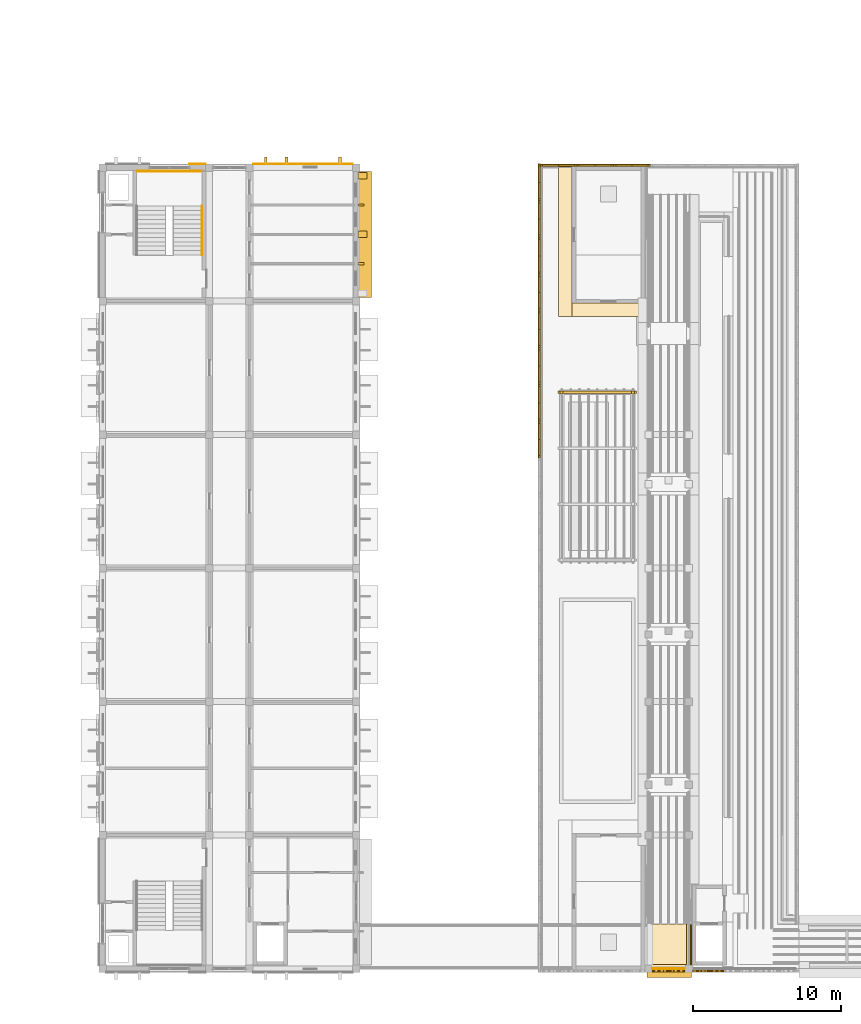
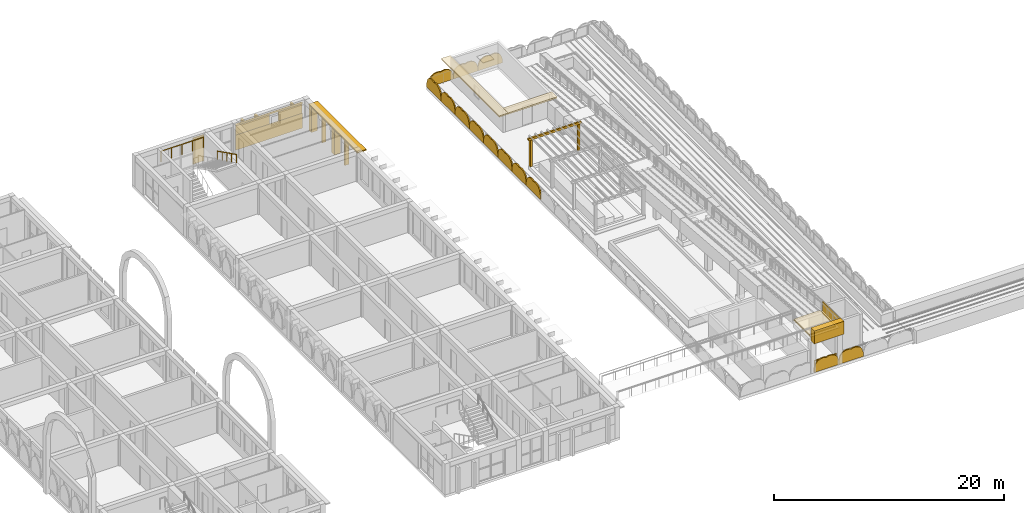
# One storey, part 61 of 65: 21 coverings, 14 shading devices, 3 railings.
"""IFC4 building model written with IfcOpenShell, lengths in metres."""

from ifc_helpers import new_model, si_unit, direction, frame, origin, origin_2d, place, context, subcontext, project, spatial, polyline, rectangle, circle, outline, extrude, material, layer, layer_set, type_object, element, save


model = new_model("IFC4")

# Units and contexts
model_context = context("Model", 3, precision=1e-05, world=origin(), true_north=direction((0.0, 1.0)))
body_context = subcontext(model_context, "Body", "Model", "MODEL_VIEW")
ifc_project = project(units=[si_unit("LENGTHUNIT", "METRE"), si_unit("AREAUNIT", "SQUARE_METRE"), si_unit("VOLUMEUNIT", "CUBIC_METRE"), si_unit("PLANEANGLEUNIT", "RADIAN"), si_unit("MASSUNIT", "GRAM", prefix="KILO")], contexts=[model_context])

# Site, building, storey
site_placement = place(None, origin())
site = spatial("IfcSite", under=ifc_project, at=site_placement, CompositionType="ELEMENT")
building_placement = place(site_placement, origin())
building = spatial("IfcBuilding", under=site, at=building_placement, Name="Elbe Cascade School", CompositionType="ELEMENT")
storey_placement = place(building_placement, frame((0.0, 0.0, 11.699951171875)))
storey = spatial("IfcBuildingStorey", under=building, at=storey_placement, Name="L03", CompositionType="ELEMENT", Elevation=11.699951171875)

# Railings
ifc_material_1 = material(Name="Steel S355J2H, painted", Category="steel")
railing_type_1 = type_object("IfcRailingType", Name="Bar stair guard 1100", PredefinedType="GUARDRAIL", material=ifc_material_1)
railing_1_placement = place(storey_placement, frame((100.9599609375, 59.760009765625, 1.800048828125)))
element("IfcRailing", 1, at=railing_1_placement, inside=storey, type_object=railing_type_1, Name="Stair guard B3.N", PredefinedType="GUARDRAIL", context=body_context, shape_type="SweptSolid", body=[
    extrude(circle(Radius=0.02392578125, at=origin_2d()), frame((0.0, 0.0, 1.09619140625), z_axis=(1.0, 0.0, 0.0), x_axis=(0.0, 1.0, 0.0)), (0.0, 0.0, 1.0), 4.280029296875),
    extrude(circle(Radius=0.02099609375, at=origin_2d()), origin(), (0.0, 0.0, 1.0), 1.072021484375),
    extrude(circle(Radius=0.02099609375, at=origin_2d()), frame((1.070068359375, 0.0, 0.0)), (0.0, 0.0, 1.0), 1.072021484375),
    extrude(circle(Radius=0.02099609375, at=origin_2d()), frame((2.14013671875, 0.0, 0.0)), (0.0, 0.0, 1.0), 1.072021484375),
    extrude(circle(Radius=0.02099609375, at=origin_2d()), frame((3.2099609375, 0.0, 0.0)), (0.0, 0.0, 1.0), 1.072021484375),
    extrude(circle(Radius=0.02099609375, at=origin_2d()), frame((4.280029296875, 0.0, 0.0)), (0.0, 0.0, 1.0), 1.072021484375),
])
ifc_material_2 = material(Name="Steel S355J2H, painted", Category="steel")
railing_type_2 = type_object("IfcRailingType", Name="Bar stair handrail 900", PredefinedType="HANDRAIL", material=ifc_material_2)
railing_2_placement = place(storey_placement, frame((105.300048828125, 57.39990234375, 1.949951171875)))
element("IfcRailing", 2, at=railing_2_placement, inside=storey, type_object=railing_type_2, Name="Stair handrail B3.N", PredefinedType="HANDRAIL", context=body_context, shape_type="SweptSolid", body=[
    extrude(circle(Radius=0.02392578125, at=origin_2d()), frame((0.0, 0.0, 0.8759765625), z_axis=(0.0, -0.894400720042, 0.447266533499), x_axis=(1.0, 0.0, 0.0)), (0.0, 0.0, 1.0), 3.689453125),
    extrude(circle(Radius=0.02099609375, at=origin_2d()), origin(), (0.0, 0.0, 1.0), 0.851806640625),
    extrude(circle(Radius=0.02099609375, at=origin_2d()), frame((0.0, -0.824951171875, 0.41259765625)), (0.0, 0.0, 1.0), 0.851806640625),
    extrude(circle(Radius=0.02099609375, at=origin_2d()), frame((0.0, -1.64990234375, 0.8251953125)), (0.0, 0.0, 1.0), 0.851806640625),
    extrude(circle(Radius=0.02099609375, at=origin_2d()), frame((0.0, -2.474853515625, 1.237548828125)), (0.0, 0.0, 1.0), 0.851806640625),
    extrude(circle(Radius=0.02099609375, at=origin_2d()), frame((0.0, -3.2998046875, 1.650146484375)), (0.0, 0.0, 1.0), 0.851806640625),
])

# Shading devices
ifc_material_3 = material(Name="Precast concrete C40/50", Category="concrete")
ifc_layer_1 = layer(ifc_material_3, 0.1201171875)
ifc_layer_set_1 = layer_set([ifc_layer_1], Name="Precast concrete C40/50")
shading_device_type_1 = type_object("IfcShadingDeviceType", Name="Bars envelope Attic jali screen, pointed arch top, pierced precast concrete, 1200 high", PredefinedType="USERDEFINED", material=ifc_layer_set_1)
shading_device_1_placement = place(storey_placement, frame((127.97998046875, 40.431884765625, 0.400146484375), z_axis=(-1.0, 0.0, 0.0), x_axis=(0.0, 0.296914729778, 0.954903996871)))
element("IfcShadingDevice", 3, at=shading_device_1_placement, inside=storey, type_object=shading_device_type_1, Name="Attic jali screen SD1 C.L03.w15", ObjectType="JALI", PredefinedType="USERDEFINED", context=body_context, shape_type="SweptSolid", body=[
    extrude(outline(polyline([(0.0, 0.0), (0.5213118135497831, 2.7755575615628914e-17), (0.7306945382777837, 0.09699021202207464), (0.8771319311807609, 0.21355243992304318), (0.9846364706956681, 0.3422203220898462), (1.0619064875388193, 0.48054489831620933), (1.1125270975525943, 0.6269000837217165), (1.1363376588260814, 0.7815914981126785), (1.1314731244903915, 0.9451990530706923), (1.2282536445091836, 1.0772014268316772), (1.2963590689187985, 1.218119941159714), (1.337726933535825, 1.3676078153318163), (1.3524453913234755, 1.5251262986830632), (1.3368568374916705, 1.692068345235259), (1.2823354302717953, 1.871116046053289), (1.1649411801745964, 2.069968893608824), (0.7355453523079154, 2.365578822327823), (0.3534438750441624, 2.4843882076074792), (-0.382101477263753, 0.11880938527965638), (0.0, 0.0)])), origin(), (0.0, 0.0, -1.0), 0.1201171875),
])
shading_device_2_placement = place(storey_placement, frame((127.97998046875, 42.9091796875, 0.400146484375), z_axis=(-1.0, 0.0, 0.0), x_axis=(0.0, 0.296914729778, 0.954903996871)))
element("IfcShadingDevice", 4, at=shading_device_2_placement, inside=storey, type_object=shading_device_type_1, Name="Attic jali screen SD1 C.L03.w16", ObjectType="JALI", PredefinedType="USERDEFINED", context=body_context, shape_type="SweptSolid", body=[
    extrude(outline(polyline([(0.0, 0.0), (0.5213118135497831, 2.7755575615628914e-17), (0.7306945382777837, 0.09699021202207464), (0.8771319311807609, 0.21355243992304318), (0.9846364706956681, 0.3422203220898462), (1.0618339985911196, 0.4803117674575981), (1.1125270975525943, 0.6269000837217165), (1.1363376588260814, 0.7815914981126785), (1.1314731244903915, 0.9451990530706923), (1.2282536445091836, 1.0772014268316772), (1.296431557866498, 1.218353072018325), (1.337726933535825, 1.3676078153318163), (1.3524453913234755, 1.5251262986830632), (1.3368568374916705, 1.692068345235259), (1.2823354302717953, 1.871116046053289), (1.1648686912268968, 2.069735762750213), (0.7355453523079154, 2.365578822327823), (0.3534438750441624, 2.4843882076074792), (-0.382101477263753, 0.11880938527965638), (0.0, 0.0)])), origin(), (0.0, 0.0, -1.0), 0.1201171875),
])
shading_device_3_placement = place(storey_placement, frame((127.97998046875, 45.386474609375, 0.400146484375), z_axis=(-1.0, 0.0, 0.0), x_axis=(0.0, 0.296914729778, 0.954903996871)))
element("IfcShadingDevice", 5, at=shading_device_3_placement, inside=storey, type_object=shading_device_type_1, Name="Attic jali screen SD1 C.L03.w17", ObjectType="JALI", PredefinedType="USERDEFINED", context=body_context, shape_type="SweptSolid", body=[
    extrude(outline(polyline([(0.0, 0.0), (0.5213118135497831, 2.7755575615628914e-17), (0.7306945382777837, 0.09699021202207464), (0.8771319311807609, 0.21355243992304318), (0.9846364706956681, 0.3422203220898462), (1.0618339985911196, 0.4803117674575981), (1.1124546086048945, 0.6266669528631053), (1.1363376588260814, 0.7815914981126785), (1.1314731244903915, 0.9451990530706923), (1.2282536445091836, 1.0772014268316772), (1.296431557866498, 1.218353072018325), (1.337726933535825, 1.3676078153318163), (1.3524453913234755, 1.5251262986830632), (1.3368568374916705, 1.692068345235259), (1.2823354302717953, 1.871116046053289), (1.1648686912268968, 2.069735762750213), (0.7354728633602158, 2.3653456914692117), (0.3533713860964628, 2.484155076748868), (-0.382101477263753, 0.11880938527965638), (0.0, 0.0)])), origin(), (0.0, 0.0, -1.0), 0.1201171875),
])
shading_device_4_placement = place(storey_placement, frame((127.97998046875, 47.863525390625, 0.400146484375), z_axis=(-1.0, 0.0, 0.0), x_axis=(0.0, 0.297341674145, 0.954771139497)))
element("IfcShadingDevice", 6, at=shading_device_4_placement, inside=storey, type_object=shading_device_type_1, Name="Attic jali screen SD1 C.L03.w18", ObjectType="JALI", PredefinedType="USERDEFINED", context=body_context, shape_type="SweptSolid", body=[
    extrude(outline(polyline([(0.0, 0.0), (0.5213843546183408, 0.0), (0.7308104264433496, 0.09689657931297072), (0.877299924131576, 0.21339331781027546), (0.9848619852240885, 0.34201311772900156), (1.0621212513618536, 0.4800700313290738), (1.112807297308533, 0.6264025676958647), (1.1367596178235617, 0.7813164184342674), (1.1319682391607806, 0.9449261321561379), (1.2288077728077673, 1.0768852184544173), (1.2969762004591083, 1.2177732661588931), (1.338410902678799, 1.3672426282349808), (1.3531997915252392, 1.5247545146550585), (1.3376858854169322, 1.6917035147564823), (1.2832445427129113, 1.8707755762793272), (1.1658666258721082, 2.0694477969865064), (0.7366030194201371, 2.365249695429385), (0.35455470456759325, 2.484229920996509), (-0.3820483148525438, 0.11898022556712376), (0.0, 0.0)])), origin(), (0.0, 0.0, -1.0), 0.1201171875),
])
shading_device_5_placement = place(storey_placement, frame((127.97998046875, 50.3408203125, 0.400146484375), z_axis=(-1.0, 0.0, 0.0), x_axis=(0.0, 0.296914729778, 0.954903996871)))
element("IfcShadingDevice", 7, at=shading_device_5_placement, inside=storey, type_object=shading_device_type_1, Name="Attic jali screen SD1 C.L03.w19", ObjectType="JALI", PredefinedType="USERDEFINED", context=body_context, shape_type="SweptSolid", body=[
    extrude(outline(polyline([(0.0, 0.0), (0.5213118135497831, 2.7755575615628914e-17), (0.7307670272254834, 0.09722334288068585), (0.8772044201284606, 0.2137855707816544), (0.9847089596433677, 0.3424534529484574), (1.0619064875388193, 0.48054489831620933), (1.1125995865002938, 0.6271332145803277), (1.1364101477737811, 0.7818246289712897), (1.131545613438091, 0.9454321839293035), (1.2283261334568831, 1.0774345576902884), (1.296431557866498, 1.218353072018325), (1.337726933535825, 1.3676078153318163), (1.3525178802711753, 1.5253594295416744), (1.3369293264393702, 1.6923014760938702), (1.2824079192194948, 1.8713491769119002), (1.1649411801745964, 2.069968893608824), (0.7355453523079154, 2.365578822327823), (0.3534438750441624, 2.4843882076074792), (-0.382101477263753, 0.11880938527965638), (0.0, 0.0)])), origin(), (0.0, 0.0, -1.0), 0.1201171875),
])
shading_device_6_placement = place(storey_placement, frame((127.97998046875, 52.818115234375, 0.400146484375), z_axis=(-1.0, 0.0, 0.0), x_axis=(0.0, 0.296914729778, 0.954903996871)))
element("IfcShadingDevice", 8, at=shading_device_6_placement, inside=storey, type_object=shading_device_type_1, Name="Attic jali screen SD1 C.L03.w20", ObjectType="JALI", PredefinedType="USERDEFINED", context=body_context, shape_type="SweptSolid", body=[
    extrude(outline(polyline([(0.0, 0.0), (0.5213118135497831, 2.7755575615628914e-17), (0.7306945382777837, 0.09699021202207464), (0.8772044201284606, 0.2137855707816544), (0.9847089596433677, 0.3424534529484574), (1.0619064875388193, 0.48054489831620933), (1.1125995865002938, 0.6271332145803277), (1.1364101477737811, 0.7818246289712897), (1.131545613438091, 0.9454321839293035), (1.2283261334568831, 1.0774345576902884), (1.296431557866498, 1.218353072018325), (1.337726933535825, 1.3676078153318163), (1.3524453913234755, 1.5251262986830632), (1.3369293264393702, 1.6923014760938702), (1.2824079192194948, 1.8713491769119002), (1.1649411801745964, 2.069968893608824), (0.7355453523079154, 2.365578822327823), (0.3534438750441624, 2.4843882076074792), (-0.382101477263753, 0.11880938527965638), (0.0, 0.0)])), origin(), (0.0, 0.0, -1.0), 0.1201171875),
])
shading_device_7_placement = place(storey_placement, frame((127.97998046875, 55.29541015625, 0.400146484375), z_axis=(-1.0, 0.0, 0.0), x_axis=(0.0, 0.296914729778, 0.954903996871)))
element("IfcShadingDevice", 9, at=shading_device_7_placement, inside=storey, type_object=shading_device_type_1, Name="Attic jali screen SD1 C.L03.w21", ObjectType="JALI", PredefinedType="USERDEFINED", context=body_context, shape_type="SweptSolid", body=[
    extrude(outline(polyline([(0.0, 0.0), (0.5213118135497831, 2.7755575615628914e-17), (0.7306945382777837, 0.09699021202207464), (0.8772044201284606, 0.2137855707816544), (0.9847089596433677, 0.3424534529484574), (1.0619064875388193, 0.48054489831620933), (1.1125270975525943, 0.6269000837217165), (1.1364101477737811, 0.7818246289712897), (1.131545613438091, 0.9454321839293035), (1.2283261334568831, 1.0774345576902884), (1.296431557866498, 1.218353072018325), (1.337726933535825, 1.3676078153318163), (1.3524453913234755, 1.5251262986830632), (1.3368568374916705, 1.692068345235259), (1.2824079192194948, 1.8713491769119002), (1.1649411801745964, 2.069968893608824), (0.7355453523079154, 2.365578822327823), (0.3534438750441624, 2.4843882076074792), (-0.382101477263753, 0.11880938527965638), (0.0, 0.0)])), origin(), (0.0, 0.0, -1.0), 0.1201171875),
])
shading_device_8_placement = place(storey_placement, frame((127.97998046875, 57.772705078125, 0.400146484375), z_axis=(-1.0, 0.0, 0.0), x_axis=(0.0, 0.296914729778, 0.954903996871)))
element("IfcShadingDevice", 10, at=shading_device_8_placement, inside=storey, type_object=shading_device_type_1, Name="Attic jali screen SD1 C.L03.w22", ObjectType="JALI", PredefinedType="USERDEFINED", context=body_context, shape_type="SweptSolid", body=[
    extrude(outline(polyline([(0.0, 0.0), (0.5213118135497831, 2.7755575615628914e-17), (0.7307670272254834, 0.09722334288068585), (0.8772044201284606, 0.2137855707816544), (0.9847089596433677, 0.3424534529484574), (1.0619064875388193, 0.48054489831620933), (1.1125270975525943, 0.6269000837217165), (1.1363376588260814, 0.7815914981126785), (1.131545613438091, 0.9454321839293035), (1.2283261334568831, 1.0774345576902884), (1.296431557866498, 1.218353072018325), (1.337726933535825, 1.3676078153318163), (1.3524453913234755, 1.5251262986830632), (1.3368568374916705, 1.692068345235259), (1.2823354302717953, 1.871116046053289), (1.1649411801745964, 2.069968893608824), (0.7355453523079154, 2.365578822327823), (0.3534438750441624, 2.4843882076074792), (-0.382101477263753, 0.11880938527965638), (0.0, 0.0)])), origin(), (0.0, 0.0, -1.0), 0.1201171875),
])
shading_device_9_placement = place(storey_placement, frame((135.514404296875, 5.780029296875, 0.0), z_axis=(0.0, -1.0, 0.0), x_axis=(1.0, 0.0, 0.0)))
element("IfcShadingDevice", 11, at=shading_device_9_placement, inside=storey, type_object=shading_device_type_1, Name="Attic jali screen SD1 C.L03.s4", ObjectType="JALI", PredefinedType="USERDEFINED", context=body_context, shape_type="SweptSolid", body=[
    extrude(outline(polyline([(0.0, 0.0), (2.47119140625, 0.0), (2.47119140625, 0.400146484375), (2.31689453125, 0.89697265625), (2.162353515625, 1.068115234375), (2.0078125, 1.17333984375), (1.853515625, 1.23779296875), (1.698974609375, 1.270751953125), (1.54443359375, 1.275390625), (1.39013671875, 1.252685546875), (1.235595703125, 1.199951171875), (1.0810546875, 1.252685546875), (0.9267578125, 1.275390625), (0.772216796875, 1.270751953125), (0.61767578125, 1.23779296875), (0.46337890625, 1.17333984375), (0.308837890625, 1.068115234375), (0.154296875, 0.89697265625), (0.0, 0.400146484375), (0.0, 0.0)])), origin(), (0.0, 0.0, -1.0), 0.1201171875),
])
shading_device_10_placement = place(storey_placement, frame((137.985595703125, 5.780029296875, 0.0), z_axis=(0.0, -1.0, 0.0), x_axis=(1.0, 0.0, 0.0)))
element("IfcShadingDevice", 12, at=shading_device_10_placement, inside=storey, type_object=shading_device_type_1, Name="Attic jali screen SD1 C.L03.s5", ObjectType="JALI", PredefinedType="USERDEFINED", context=body_context, shape_type="SweptSolid", body=[
    extrude(outline(polyline([(0.0, 0.0), (2.471435546875, 0.0), (2.471435546875, 0.400146484375), (2.317138671875, 0.89697265625), (2.16259765625, 1.068115234375), (2.008056640625, 1.17333984375), (1.853759765625, 1.23779296875), (1.69921875, 1.270751953125), (1.544921875, 1.275390625), (1.390380859375, 1.252685546875), (1.23583984375, 1.199951171875), (1.081298828125, 1.252685546875), (0.927001953125, 1.275390625), (0.7724609375, 1.270751953125), (0.617919921875, 1.23779296875), (0.463623046875, 1.17333984375), (0.30908203125, 1.068115234375), (0.154541015625, 0.89697265625), (0.0, 0.400146484375), (0.0, 0.0)])), origin(), (0.0, 0.0, -1.0), 0.1201171875),
])
shading_device_11_placement = place(storey_placement, frame((128.10009765625, 60.219970703125, 0.400146484375), z_axis=(0.0, 1.0, 0.0), x_axis=(0.296591098501, 0.0, 0.955004565586)))
element("IfcShadingDevice", 13, at=shading_device_11_placement, inside=storey, type_object=shading_device_type_1, Name="Attic jali screen SD1 C.L03.n1", ObjectType="JALI", PredefinedType="USERDEFINED", context=body_context, shape_type="SweptSolid", body=[
    extrude(outline(polyline([(0.0, 0.0), (0.5202343420947262, 0.0), (0.7295117751579618, 0.09682801024569865), (0.875837247110804, 0.21320670325393723), (0.9832257653398102, 0.34167785560048747), (1.0604648255465818, 0.4792567342998425), (1.1107302679531939, 0.6254683210049938), (1.1348823042695686, 0.7797898205597913), (1.1302838150328287, 0.942784586850448), (1.226480873508876, 1.074731416132561), (1.2939274064318087, 1.2153515121505334), (1.3353329432006613, 1.3643146764296716), (1.3496924522331972, 1.5216773933030865), (1.3339025032434986, 1.688147836529306), (1.2792480104661212, 1.866943894505357), (1.1616415565783504, 2.065290635243948), (0.7329333737867739, 2.359999075405198), (0.3507916543055331, 2.478678960767431), (-0.3821417194812408, 0.118679885362233), (0.0, 0.0)])), origin(), (0.0, 0.0, -1.0), 0.1201171875),
])
shading_device_12_placement = place(storey_placement, frame((130.5712890625, 60.219970703125, 0.400146484375), z_axis=(0.0, 1.0, 0.0), x_axis=(0.297019017158, 0.0, 0.954871563849)))
element("IfcShadingDevice", 14, at=shading_device_12_placement, inside=storey, type_object=shading_device_type_1, Name="Attic jali screen SD1 C.L03.n2", ObjectType="JALI", PredefinedType="USERDEFINED", context=body_context, shape_type="SweptSolid", body=[
    extrude(outline(polyline([(0.0, 0.0), (0.5203068042706857, 0.0), (0.7296276060574873, 0.09673422092004844), (0.8760052139382555, 0.21304733213126112), (0.983378776364954, 0.3412372266192086), (1.060751993889478, 0.47901460274221613), (1.111082950328447, 0.6252036502495756), (1.1352316230349457, 0.7792811885669514), (1.1307786884816262, 0.9425111220684724), (1.2270348641779603, 1.0744148311041308), (1.2946169182059901, 1.2152378123835414), (1.3360166885015499, 1.3639492844729684), (1.3504467121200405, 1.5213055508871403), (1.3348038764278707, 1.6880161759959793), (1.2801569952816312, 1.8666035843815534), (1.162639434637844, 2.065003005998684), (0.7341358715101728, 2.3601366485358635), (0.35204737220651017, 2.4789877640440787), (-0.3820884993036626, 0.11885111550821545), (0.0, 0.0)])), origin(), (0.0, 0.0, -1.0), 0.1201171875),
])
shading_device_13_placement = place(storey_placement, frame((133.04296875, 60.219970703125, 0.400146484375), z_axis=(0.0, 1.0, 0.0), x_axis=(0.296591098501, 0.0, 0.955004565586)))
element("IfcShadingDevice", 15, at=shading_device_13_placement, inside=storey, type_object=shading_device_type_1, Name="Attic jali screen SD1 C.L03.n3", ObjectType="JALI", PredefinedType="USERDEFINED", context=body_context, shape_type="SweptSolid", body=[
    extrude(outline(polyline([(0.0, 0.0), (0.5202343420947262, 0.0), (0.7295117751579618, 0.09682801024569865), (0.8757648371746465, 0.21297354784241726), (0.9831533554036527, 0.34144470018896744), (1.0604648255465818, 0.4792567342998425), (1.1106578580170363, 0.6252351655934738), (1.134809894333411, 0.7795566651482713), (1.1302838150328287, 0.942784586850448), (1.226480873508876, 1.074731416132561), (1.2939274064318087, 1.2153515121505334), (1.3353329432006613, 1.3643146764296716), (1.3496924522331972, 1.5216773933030865), (1.3339025032434986, 1.688147836529306), (1.2792480104661212, 1.866943894505357), (1.1616415565783504, 2.065290635243948), (0.7330057837229315, 2.360232230816718), (0.35086406424169064, 2.478912116178951), (-0.3821417194812408, 0.118679885362233), (0.0, 0.0)])), origin(), (0.0, 0.0, -1.0), 0.1201171875),
])
ifc_material_4 = material(Name="Precast concrete C30/37", Category="concrete")
ifc_layer_2 = layer(ifc_material_4, 0.1201171875)
ifc_layer_set_2 = layer_set([ifc_layer_2], Name="Precast concrete C30/37")
shading_device_type_2 = type_object("IfcShadingDeviceType", Name="Bars envelope Chhajja eave, precast concrete, 900 x 120", PredefinedType="USERDEFINED", material=ifc_layer_set_2)
shading_device_14_placement = place(storey_placement, frame((116.27001953125, 55.5, 2.6298828125), z_axis=(0.0, 0.0, 1.0), x_axis=(0.0, 1.0, 0.0)))
element("IfcShadingDevice", 16, at=shading_device_14_placement, inside=storey, type_object=shading_device_type_2, Name="Chhajja eave SD2 B.L03.e6", ObjectType="CHHAJJA", PredefinedType="USERDEFINED", context=body_context, shape_type="SweptSolid", body=[
    extrude(rectangle(XDim=8.5, YDim=0.89990234375, at=origin_2d()), origin(), (0.0, 0.0, 1.0), 0.1201171875),
])

# Coverings
ifc_material_5 = material(Name="Precast concrete C40/50", Category="concrete")
covering_type_1 = type_object("IfcCoveringType", Name="Bars envelope Precast concrete fin, 140 wide, 400 deep", PredefinedType="CLADDING", material=ifc_material_5)
for number, where, z_axis, x_axis, name in (
    (17, (116.02001953125, 53.52001953125, 0.0), (0.0, 0.0, 1.0), (0.0, 1.0, 0.0), "Fin CV56 B.L03.e6.4"),
    (18, (116.02001953125, 57.47998046875, 0.0), (0.0, 0.0, 1.0), (0.0, 1.0, 0.0), "Fin CV56 B.L03.e6.5"),
):
    element("IfcCovering", number, at=place(storey_placement, frame(where, z_axis=z_axis, x_axis=x_axis)), inside=storey, type_object=covering_type_1, Name=name, PredefinedType="CLADDING", context=body_context, shape_type="SweptSolid", body=[
        extrude(rectangle(XDim=0.139892578125, YDim=0.39990234375, at=origin_2d()), origin(), (0.0, 0.0, 1.0), 2.6298828125),
    ])
ifc_material_6 = material(Name="Precast concrete C40/50", Category="concrete")
covering_type_2 = type_object("IfcCoveringType", Name="Bars envelope Precast concrete fin, 450 wide, 600 deep", PredefinedType="CLADDING", material=ifc_material_6)
for number, where, z_axis, x_axis, name in (
    (19, (116.1201171875, 55.5, 0.0), (0.0, 0.0, 1.0), (0.0, 1.0, 0.0), "Fin CV55 B.L03.e6.2"),
    (20, (116.1201171875, 59.4599609375, 0.0), (0.0, 0.0, 1.0), (0.0, 1.0, 0.0), "Fin CV55 B.L03.e6.3"),
):
    element("IfcCovering", number, at=place(storey_placement, frame(where, z_axis=z_axis, x_axis=x_axis)), inside=storey, type_object=covering_type_2, Name=name, PredefinedType="CLADDING", context=body_context, shape_type="SweptSolid", body=[
        extrude(rectangle(XDim=0.449951171875, YDim=0.60009765625, at=origin_2d()), origin(), (0.0, 0.0, 1.0), 2.6298828125),
    ])
ifc_material_7 = material(Name="Precast concrete C40/50", Category="concrete")
covering_type_3 = type_object("IfcCoveringType", Name="Bars envelope Precast concrete gable fin, 200 wide, 450 deep", PredefinedType="CLADDING", material=ifc_material_7)
for number, where, z_axis, x_axis, name in (
    (21, (109.60009765625, 60.485107421875, 0.0), (0.0, 0.0, 1.0), (1.0, 0.0, 0.0), "Fin CV57 B.L03.n.3"),
    (22, (111.0, 60.485107421875, 0.0), (0.0, 0.0, 1.0), (1.0, 0.0, 0.0), "Fin CV57 B.L03.n.4"),
    (23, (114.60009765625, 60.485107421875, 0.0), (0.0, 0.0, 1.0), (1.0, 0.0, 0.0), "Fin CV57 B.L03.n.5"),
):
    element("IfcCovering", number, at=place(storey_placement, frame(where, z_axis=z_axis, x_axis=x_axis)), inside=storey, type_object=covering_type_3, Name=name, PredefinedType="CLADDING", context=body_context, shape_type="SweptSolid", body=[
        extrude(rectangle(XDim=0.199951171875, YDim=0.449951171875, at=origin_2d()), origin(), (0.0, 0.0, 1.0), 2.800048828125),
    ])

# Railing
ifc_material_8 = material(Name="Steel S355J2H, hot-dip galvanised", Category="steel")
railing_type_3 = type_object("IfcRailingType", Name="Bars envelope Roof edge guard 1100, galvanised steel", PredefinedType="GUARDRAIL", material=ifc_material_8)
railing_3_placement = place(storey_placement, frame((135.6708984375, 6.0, 0.0)))
element("IfcRailing", 24, at=railing_3_placement, inside=storey, type_object=railing_type_3, Name="Roof edge guard RL10 C.L03.1", PredefinedType="GUARDRAIL", context=body_context, shape_type="SweptSolid", body=[
    extrude(circle(Radius=0.02392578125, at=origin_2d()), frame((0.0, 0.0, 1.076171875), z_axis=(1.0, 0.0, 0.0), x_axis=(0.0, 1.0, 0.0)), (0.0, 0.0, 1.0), 2.158203125),
    extrude(circle(Radius=0.02099609375, at=origin_2d()), origin(), (0.0, 0.0, 1.0), 1.052001953125),
    extrude(circle(Radius=0.02099609375, at=origin_2d()), frame((1.0791015625, 0.0, 0.0)), (0.0, 0.0, 1.0), 1.052001953125),
    extrude(circle(Radius=0.02099609375, at=origin_2d()), frame((2.158203125, 0.0, 0.0)), (0.0, 0.0, 1.0), 1.052001953125),
])

# Coverings
ifc_material_9 = material(Name="Sandstone - red", Category="masonry")
ifc_layer_3 = layer(ifc_material_9, 0.0400390625)
ifc_layer_set_3 = layer_set([ifc_layer_3], Name="Sandstone - red")
covering_type_4 = type_object("IfcCoveringType", Name="Bars envelope Sandstone cladding, red, 40 mm", PredefinedType="CLADDING", material=ifc_layer_set_3)
covering_1_placement = place(storey_placement, frame((105.0, 60.239990234375, 0.0), z_axis=(0.0, 0.0, 1.0), x_axis=(1.0, 0.0, 0.0)))
element("IfcCovering", 25, at=covering_1_placement, inside=storey, type_object=covering_type_4, Name="Sandstone cladding CV48 B.L03.n.1b.1", PredefinedType="CLADDING", context=body_context, shape_type="SweptSolid", body=[
    extrude(rectangle(XDim=1.10009765625, YDim=0.0400390625, at=origin_2d()), origin(), (0.0, 0.0, 1.0), 2.800048828125),
])
covering_2_placement = place(storey_placement, frame((112.10009765625, 60.239990234375, 0.0), z_axis=(0.0, 0.0, 1.0), x_axis=(1.0, 0.0, 0.0)))
element("IfcCovering", 26, at=covering_2_placement, inside=storey, type_object=covering_type_4, Name="Sandstone cladding CV48 B.L03.n.3.1", PredefinedType="CLADDING", context=body_context, shape_type="SweptSolid", body=[
    extrude(rectangle(XDim=6.699951171875, YDim=0.0400390625, at=origin_2d()), origin(), (0.0, 0.0, 1.0), 1.60009765625),
])
covering_3_placement = place(storey_placement, frame((110.449951171875, 60.239990234375, 1.60009765625), z_axis=(0.0, 0.0, 1.0), x_axis=(1.0, 0.0, 0.0)))
element("IfcCovering", 27, at=covering_3_placement, inside=storey, type_object=covering_type_4, Name="Sandstone cladding CV48 B.L03.n.3.2", PredefinedType="CLADDING", context=body_context, shape_type="SweptSolid", body=[
    extrude(rectangle(XDim=3.39990234375, YDim=0.0400390625, at=origin_2d()), origin(), (0.0, 0.0, 1.0), 1.0),
])
covering_4_placement = place(storey_placement, frame((114.25, 60.239990234375, 1.60009765625), z_axis=(0.0, 0.0, 1.0), x_axis=(1.0, 0.0, 0.0)))
element("IfcCovering", 28, at=covering_4_placement, inside=storey, type_object=covering_type_4, Name="Sandstone cladding CV48 B.L03.n.3.3", PredefinedType="CLADDING", context=body_context, shape_type="SweptSolid", body=[
    extrude(rectangle(XDim=2.39990234375, YDim=0.0400390625, at=origin_2d()), origin(), (0.0, 0.0, 1.0), 1.0),
])
covering_5_placement = place(storey_placement, frame((112.10009765625, 60.239990234375, 2.60009765625), z_axis=(0.0, 0.0, 1.0), x_axis=(1.0, 0.0, 0.0)))
element("IfcCovering", 29, at=covering_5_placement, inside=storey, type_object=covering_type_4, Name="Sandstone cladding CV48 B.L03.n.3.4", PredefinedType="CLADDING", context=body_context, shape_type="SweptSolid", body=[
    extrude(rectangle(XDim=6.699951171875, YDim=0.0400390625, at=origin_2d()), origin(), (0.0, 0.0, 1.0), 0.199951171875),
])
ifc_material_10 = material(Name="Steel S355J2H, hot-dip galvanised", Category="steel")
covering_type_5 = type_object("IfcCoveringType", Name="Pergola beam 160x220", PredefinedType="USERDEFINED", material=ifc_material_10)
covering_6_placement = place(storey_placement, frame((0.0, 0.0, 3.16015625)))
element("IfcCovering", 30, at=covering_6_placement, inside=storey, type_object=covering_type_5, Name="Pergola C.w2 beam 4", ObjectType="PERGOLA BEAM", PredefinedType="USERDEFINED", context=body_context, shape_type="SweptSolid", body=[
    extrude(outline(polyline([(129.300048828125, 44.77001953125), (134.60009765625, 44.77001953125), (134.60009765625, 44.929931640625), (129.300048828125, 44.929931640625), (129.300048828125, 44.77001953125)])), origin(), (0.0, 0.0, 1.0), 0.219970703125),
])
ifc_material_11 = material(Name="Steel S355J2H, hot-dip galvanised", Category="steel")
covering_type_6 = type_object("IfcCoveringType", Name="Pergola post 200x2800", PredefinedType="USERDEFINED", material=ifc_material_11)
covering_7_placement = place(storey_placement, frame((0.0, 0.0, 0.360107421875)))
element("IfcCovering", 31, at=covering_7_placement, inside=storey, type_object=covering_type_6, Name="Pergola C.w2 post 4w", ObjectType="PERGOLA POST", PredefinedType="USERDEFINED", context=body_context, shape_type="SweptSolid", body=[
    extrude(outline(polyline([(129.449951171875, 44.75), (129.64990234375, 44.75), (129.64990234375, 44.949951171875), (129.449951171875, 44.949951171875), (129.449951171875, 44.75)])), origin(), (0.0, 0.0, 1.0), 2.800048828125),
])
covering_8_placement = place(storey_placement, frame((0.0, 0.0, 0.360107421875)))
element("IfcCovering", 32, at=covering_8_placement, inside=storey, type_object=covering_type_6, Name="Pergola C.w2 post 4e", ObjectType="PERGOLA POST", PredefinedType="USERDEFINED", context=body_context, shape_type="SweptSolid", body=[
    extrude(outline(polyline([(134.25, 44.75), (134.449951171875, 44.75), (134.449951171875, 44.949951171875), (134.25, 44.949951171875), (134.25, 44.75)])), origin(), (0.0, 0.0, 1.0), 2.800048828125),
])
ifc_material_12 = material(Name="Concrete C30/37 precast parapet", Category="concrete")
ifc_layer_4 = layer(ifc_material_12, 0.60009765625)
ifc_layer_set_4 = layer_set([ifc_layer_4], Name="Concrete C30/37 precast parapet")
covering_type_7 = type_object("IfcCoveringType", Name="Ramp and bridge parapet 600", PredefinedType="CLADDING", material=ifc_layer_set_4)
covering_9_placement = place(storey_placement, frame((0.0, 0.0, 3.360107421875)))
element("IfcCovering", 33, at=covering_9_placement, inside=storey, type_object=covering_type_7, Name="Ramp C landing 1 parapet south", PredefinedType="CLADDING", context=body_context, shape_type="SweptSolid", body=[
    extrude(outline(polyline([(135.300048828125, 5.39990234375), (138.300048828125, 5.39990234375), (138.300048828125, 6.0), (135.300048828125, 6.0), (135.300048828125, 5.39990234375)])), origin(), (0.0, 0.0, 1.0), 1.35986328125),
])
ifc_material_13 = material(Name="Concrete C30/37 precast parapet", Category="concrete")
ifc_layer_5 = layer(ifc_material_13, 0.10009765625)
ifc_layer_set_5 = layer_set([ifc_layer_5], Name="Concrete C30/37 precast parapet")
covering_type_8 = type_object("IfcCoveringType", Name="Ramp parapet beside a wall 100", PredefinedType="CLADDING", material=ifc_layer_set_5)
covering_10_placement = place(storey_placement, frame((0.0, 0.0, 3.360107421875)))
element("IfcCovering", 34, at=covering_10_placement, inside=storey, type_object=covering_type_8, Name="Ramp C landing 1 parapet e1", PredefinedType="CLADDING", context=body_context, shape_type="SweptSolid", body=[
    extrude(outline(polyline([(138.199951171875, 6.0), (138.300048828125, 6.0), (138.300048828125, 9.0), (138.199951171875, 9.0), (138.199951171875, 6.0)])), origin(), (0.0, 0.0, 1.0), 1.35986328125),
])
ifc_material_14 = material(Name="Precast concrete C30/37", Category="concrete")
ifc_layer_6 = layer(ifc_material_14, 0.14990234375)
ifc_layer_set_6 = layer_set([ifc_layer_6], Name="Precast concrete C30/37")
covering_type_9 = type_object("IfcCoveringType", Name="Roof head eave, precast concrete, 900 x 150", PredefinedType="USERDEFINED", material=ifc_layer_set_6)
covering_11_placement = place(storey_placement, frame((0.0, 0.0, 2.5)))
element("IfcCovering", 35, at=covering_11_placement, inside=storey, type_object=covering_type_9, Name="Stair head eave C.L03.north.w", ObjectType="EAVE", PredefinedType="USERDEFINED", context=body_context, shape_type="SweptSolid", body=[
    extrude(outline(polyline([(129.35009765625, 49.97509765625), (130.25, 49.97509765625), (130.25, 60.070068359375), (129.35009765625, 60.070068359375), (129.35009765625, 49.97509765625)])), origin(), (0.0, 0.0, 1.0), 0.150146484375),
])
covering_12_placement = place(storey_placement, frame((0.0, 0.0, 2.5)))
element("IfcCovering", 36, at=covering_12_placement, inside=storey, type_object=covering_type_9, Name="Stair head eave C.L03.north.i", ObjectType="EAVE", PredefinedType="USERDEFINED", context=body_context, shape_type="SweptSolid", body=[
    extrude(outline(polyline([(130.25, 49.97509765625), (135.14990234375, 49.97509765625), (135.14990234375, 50.875), (130.25, 50.875), (130.25, 49.97509765625)])), origin(), (0.0, 0.0, 1.0), 0.150146484375),
])
ifc_material_15 = material(Name="Running track surfacing - red", Category="surfacing")
ifc_layer_7 = layer(ifc_material_15, 0.10009765625)
ifc_layer_set_7 = layer_set([ifc_layer_7], Name="Running track surfacing - red")
covering_type_10 = type_object("IfcCoveringType", Name="Running track band 100", PredefinedType="USERDEFINED", material=ifc_layer_set_7)
covering_13_placement = place(storey_placement, frame((0.0, 0.0, 3.719970703125)))
element("IfcCovering", 37, at=covering_13_placement, inside=storey, type_object=covering_type_10, Name="Running track band C ramp landing 1", ObjectType="RUNNING TRACK", PredefinedType="USERDEFINED", context=body_context, shape_type="SweptSolid", body=[
    extrude(outline(polyline([(137.949951171875, 6.300048828125), (135.550048828125, 6.300048828125), (135.300048828125, 6.300048828125), (135.300048828125, 9.0), (135.550048828125, 9.0), (137.949951171875, 9.0), (137.949951171875, 6.300048828125)])), origin(), (0.0, 0.0, 1.0), 0.10009765625),
])
ifc_material_16 = material(Name="Running track surfacing - red", Category="surfacing")
ifc_layer_8 = layer(ifc_material_16, 0.06005859375)
ifc_layer_set_8 = layer_set([ifc_layer_8], Name="Running track surfacing - red")
covering_type_11 = type_object("IfcCoveringType", Name="Running track surfacing 60", PredefinedType="USERDEFINED", material=ifc_layer_set_8)
covering_14_placement = place(storey_placement, frame((0.0, 0.0, 3.66015625)))
element("IfcCovering", 38, at=covering_14_placement, inside=storey, type_object=covering_type_11, Name="Running track C ramp landing 1", ObjectType="RUNNING TRACK", PredefinedType="USERDEFINED", context=body_context, shape_type="SweptSolid", body=[
    extrude(outline(polyline([(138.199951171875, 6.0), (138.199951171875, 9.0), (135.300048828125, 9.0), (135.300048828125, 6.0), (138.199951171875, 6.0)])), origin(), (0.0, 0.0, 1.0), 0.059814453125),
])

save(model, "model.ifc")
